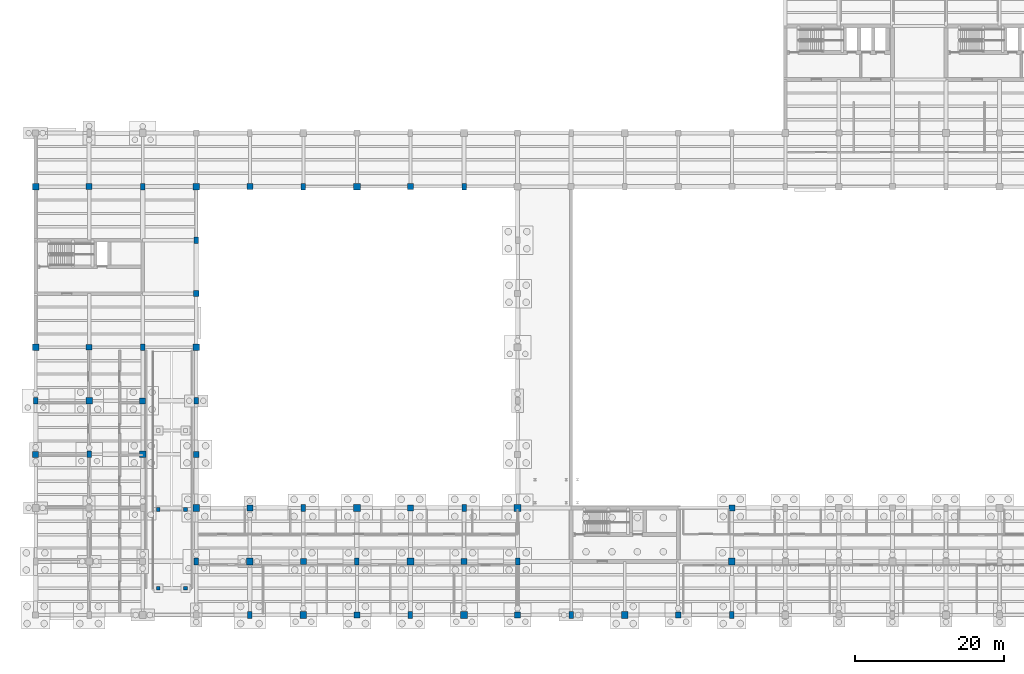
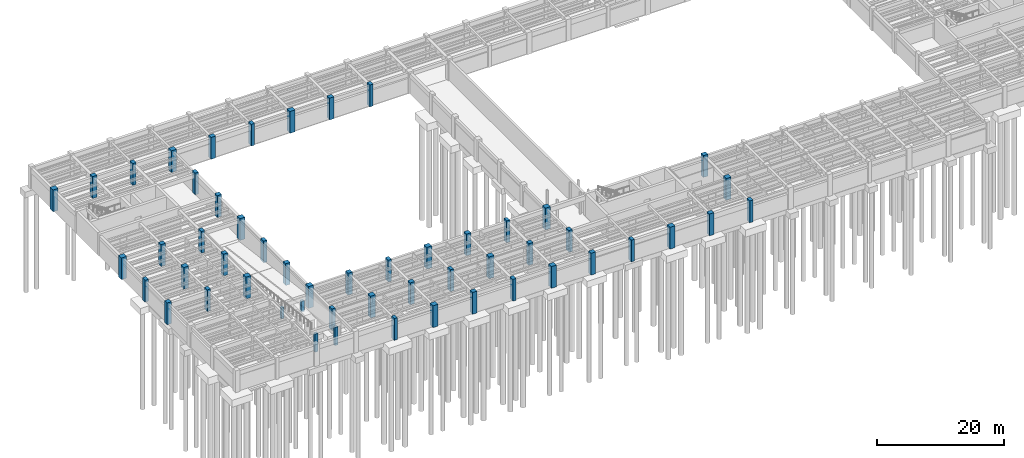
# One storey, part 5 of 33: 53 columns.
"""IFC4 building model written with IfcOpenShell, lengths in metres."""

from ifc_helpers import new_model, si_unit, direction, frame, origin, origin_2d, place, context, subcontext, project, spatial, rectangle, extrude, material, material_profile, profile_set, type_object, element, save


model = new_model("IFC4")

# Units and contexts
model_context = context("Model", 3, precision=1e-05, world=origin(), true_north=direction((0.0, 1.0)))
body_context = subcontext(model_context, "Body", "Model", "MODEL_VIEW")
ifc_project = project(units=[si_unit("LENGTHUNIT", "METRE"), si_unit("AREAUNIT", "SQUARE_METRE"), si_unit("VOLUMEUNIT", "CUBIC_METRE"), si_unit("PLANEANGLEUNIT", "RADIAN"), si_unit("MASSUNIT", "GRAM", prefix="KILO")], contexts=[model_context])

# Site, building, storey
site_placement = place(None, origin())
site = spatial("IfcSite", under=ifc_project, at=site_placement, CompositionType="ELEMENT")
building_placement = place(site_placement, origin())
building = spatial("IfcBuilding", under=site, at=building_placement, Name="Mithqara Police Headquarters", CompositionType="ELEMENT")
storey_placement = place(building_placement, frame((0.0, 0.0, -4.199951171875)))
storey = spatial("IfcBuildingStorey", under=building, at=storey_placement, Name="B1", CompositionType="ELEMENT", Elevation=-4.199951171875)

# Columns
ifc_material = material(Name="Concrete C50/60", Category="concrete")
ifc_material_profile_1 = material_profile(ifc_material, rectangle(XDim=0.5, YDim=0.5, at=origin_2d()), Name="RC 500x500")
ifc_profile_set_1 = profile_set([ifc_material_profile_1], Name="Concrete C50/60")
column_type_1 = type_object("IfcColumnType", Name="COLUMN RC500", PredefinedType="COLUMN", material=ifc_profile_set_1)
for number, where, z_axis, x_axis, name in (
    (1, (24.300048828125, 35.199951171875, -0.300048828125), (0.0, 0.0, 1.0), (1.0, 0.0, 0.0), "VR-01 Ramp Pier 2W"),
    (2, (27.949951171875, 35.199951171875, -0.300048828125), (0.0, 0.0, 1.0), (1.0, 0.0, 0.0), "VR-01 Ramp Pier 2E"),
):
    element("IfcColumn", number, at=place(storey_placement, frame(where, z_axis=z_axis, x_axis=x_axis)), inside=storey, type_object=column_type_1, Name=name, PredefinedType="COLUMN", context=body_context, shape_type="SweptSolid", body=[
        extrude(rectangle(XDim=0.5, YDim=0.5, at=origin_2d()), origin(), (0.0, 0.0, 1.0), 2.10107421875),
    ])
for number, where, z_axis, x_axis, name in (
    (3, (24.300048828125, 24.60009765625, -0.300048828125), (0.0, 0.0, 1.0), (1.0, 0.0, 0.0), "VR-01 Ramp Pier 3W"),
    (4, (27.949951171875, 24.60009765625, -0.300048828125), (0.0, 0.0, 1.0), (1.0, 0.0, 0.0), "VR-01 Ramp Pier 3E"),
):
    element("IfcColumn", number, at=place(storey_placement, frame(where, z_axis=z_axis, x_axis=x_axis)), inside=storey, type_object=column_type_1, Name=name, PredefinedType="COLUMN", context=body_context, shape_type="SweptSolid", body=[
        extrude(rectangle(XDim=0.5, YDim=0.5, at=origin_2d()), origin(), (0.0, 0.0, 1.0), 3.5009765625),
    ])
ifc_material_profile_2 = material_profile(ifc_material, rectangle(XDim=0.60009765625, YDim=0.89990234375, at=origin_2d()), Name="RC 600x900")
ifc_profile_set_2 = profile_set([ifc_material_profile_2], Name="Concrete C50/60")
column_type_2 = type_object("IfcColumnType", Name="COLUMN RC600X900", PredefinedType="COLUMN", material=ifc_profile_set_2)
for number, where, z_axis, x_axis, name in (
    (5, (7.800048828125, 49.800048828125, 0.0), (0.0, 0.0, 1.0), (1.0, 0.0, 0.0), "B1 Column 2/H"),
    (6, (15.0, 42.60009765625, 0.0), (0.0, 0.0, 1.0), (1.0, 0.0, 0.0), "B1 Column 3/G"),
    (7, (22.199951171875, 57.0, 0.0), (0.0, 0.0, 1.0), (1.0, 0.0, 0.0), "B1 Column 4/J"),
    (8, (22.199951171875, 78.60009765625, 0.0), (0.0, 0.0, 1.0), (1.0, 0.0, 0.0), "B1 Column 4/M"),
    (9, (29.39990234375, 28.199951171875, 0.0), (0.0, 0.0, 1.0), (1.0, 0.0, 0.0), "B1 Column 5/E"),
    (10, (29.39990234375, 49.800048828125, 0.0), (0.0, 0.0, 1.0), (1.0, 0.0, 0.0), "B1 Column 5/H"),
    (11, (29.39990234375, 71.39990234375, 0.0), (0.0, 0.0, 1.0), (1.0, 0.0, 0.0), "B1 Column 5/L"),
    (12, (36.60009765625, 21.0, 0.0), (0.0, 0.0, 1.0), (1.0, 0.0, 0.0), "B1 Column 6/D"),
    (13, (43.800048828125, 35.39990234375, 0.0), (0.0, 0.0, 1.0), (1.0, 0.0, 0.0), "B1 Column 7/F"),
    (14, (43.800048828125, 78.60009765625, 0.0), (0.0, 0.0, 1.0), (1.0, 0.0, 0.0), "B1 Column 7/M"),
    (15, (51.0, 28.199951171875, 0.0), (0.0, 0.0, 1.0), (1.0, 0.0, 0.0), "B1 Column 8/E"),
    (16, (58.199951171875, 21.0, 0.0), (0.0, 0.0, 1.0), (1.0, 0.0, 0.0), "B1 Column 9/D"),
    (17, (65.39990234375, 35.39990234375, 0.0), (0.0, 0.0, 1.0), (1.0, 0.0, 0.0), "B1 Column 10/F"),
    (18, (65.39990234375, 78.60009765625, 0.0), (0.0, 0.0, 1.0), (1.0, 0.0, 0.0), "B1 Column 10/M"),
    (19, (72.60009765625, 28.199951171875, 0.0), (0.0, 0.0, 1.0), (1.0, 0.0, 0.0), "B1 Column 11/E"),
    (20, (79.800048828125, 21.0, 0.0), (0.0, 0.0, 1.0), (1.0, 0.0, 0.0), "B1 Column 12/D"),
    (21, (101.39990234375, 21.0, 0.0), (0.0, 0.0, 1.0), (1.0, 0.0, 0.0), "B1 Column 15/D"),
):
    element("IfcColumn", number, at=place(storey_placement, frame(where, z_axis=z_axis, x_axis=x_axis)), inside=storey, type_object=column_type_2, Name=name, PredefinedType="COLUMN", context=body_context, shape_type="SweptSolid", body=[
        extrude(rectangle(XDim=0.60009765625, YDim=0.89990234375, at=origin_2d()), origin(), (0.0, 0.0, 1.0), 4.199951171875),
    ])
ifc_material_profile_3 = material_profile(ifc_material, rectangle(XDim=0.800048828125, YDim=0.800048828125, at=origin_2d()), Name="RC 800x800")
ifc_profile_set_3 = profile_set([ifc_material_profile_3], Name="Concrete C50/60")
column_type_3 = type_object("IfcColumnType", Name="COLUMN RC800", PredefinedType="COLUMN", material=ifc_profile_set_3)
for number, where, z_axis, x_axis, name in (
    (22, (7.800048828125, 42.60009765625, 0.0), (0.0, 0.0, 1.0), (1.0, 0.0, 0.0), "B1 Column 2/G"),
    (23, (15.0, 57.0, 0.0), (0.0, 0.0, 1.0), (1.0, 0.0, 0.0), "B1 Column 3/J"),
    (24, (15.0, 78.60009765625, 0.0), (0.0, 0.0, 1.0), (1.0, 0.0, 0.0), "B1 Column 3/M"),
    (25, (22.199951171875, 49.800048828125, 0.0), (0.0, 0.0, 1.0), (1.0, 0.0, 0.0), "B1 Column 4/H"),
    (26, (29.39990234375, 42.60009765625, 0.0), (0.0, 0.0, 1.0), (1.0, 0.0, 0.0), "B1 Column 5/G"),
    (27, (29.39990234375, 64.199951171875, 0.0), (0.0, 0.0, 1.0), (1.0, 0.0, 0.0), "B1 Column 5/K"),
    (28, (36.60009765625, 35.39990234375, 0.0), (0.0, 0.0, 1.0), (1.0, 0.0, 0.0), "B1 Column 6/F"),
    (29, (36.60009765625, 78.60009765625, 0.0), (0.0, 0.0, 1.0), (1.0, 0.0, 0.0), "B1 Column 6/M"),
    (30, (43.800048828125, 28.199951171875, 0.0), (0.0, 0.0, 1.0), (1.0, 0.0, 0.0), "B1 Column 7/E"),
    (31, (51.0, 21.0, 0.0), (0.0, 0.0, 1.0), (1.0, 0.0, 0.0), "B1 Column 8/D"),
    (32, (58.199951171875, 35.39990234375, 0.0), (0.0, 0.0, 1.0), (1.0, 0.0, 0.0), "B1 Column 9/F"),
    (33, (58.199951171875, 78.60009765625, 0.0), (0.0, 0.0, 1.0), (1.0, 0.0, 0.0), "B1 Column 9/M"),
    (34, (65.39990234375, 28.199951171875, 0.0), (0.0, 0.0, 1.0), (1.0, 0.0, 0.0), "B1 Column 10/E"),
    (35, (72.60009765625, 21.0, 0.0), (0.0, 0.0, 1.0), (1.0, 0.0, 0.0), "B1 Column 11/D"),
    (36, (94.199951171875, 21.0, 0.0), (0.0, 0.0, 1.0), (1.0, 0.0, 0.0), "B1 Column 14/D"),
    (37, (101.39990234375, 35.39990234375, 0.0), (0.0, 0.0, 1.0), (1.0, 0.0, 0.0), "B1 Column 15/F"),
):
    element("IfcColumn", number, at=place(storey_placement, frame(where, z_axis=z_axis, x_axis=x_axis)), inside=storey, type_object=column_type_3, Name=name, PredefinedType="COLUMN", context=body_context, shape_type="SweptSolid", body=[
        extrude(rectangle(XDim=0.800048828125, YDim=0.800048828125, at=origin_2d()), origin(), (0.0, 0.0, 1.0), 4.199951171875),
    ])
ifc_material_profile_4 = material_profile(ifc_material, rectangle(XDim=0.89990234375, YDim=0.89990234375, at=origin_2d()), Name="RC 900x900")
ifc_profile_set_4 = profile_set([ifc_material_profile_4], Name="Concrete C50/60")
column_type_4 = type_object("IfcColumnType", Name="COLUMN RC900", PredefinedType="COLUMN", material=ifc_profile_set_4)
for number, where, z_axis, x_axis, name in (
    (38, (7.800048828125, 57.0, 0.0), (0.0, 0.0, 1.0), (1.0, 0.0, 0.0), "B1 Column 2/J"),
    (39, (7.800048828125, 78.60009765625, 0.0), (0.0, 0.0, 1.0), (1.0, 0.0, 0.0), "B1 Column 2/M"),
    (40, (15.0, 49.800048828125, 0.0), (0.0, 0.0, 1.0), (1.0, 0.0, 0.0), "B1 Column 3/H"),
    (41, (22.199951171875, 42.60009765625, 0.0), (0.0, 0.0, 1.0), (1.0, 0.0, 0.0), "B1 Column 4/G"),
    (42, (29.39990234375, 35.39990234375, 0.0), (0.0, 0.0, 1.0), (1.0, 0.0, 0.0), "B1 Column 5/F"),
    (43, (29.39990234375, 57.0, 0.0), (0.0, 0.0, 1.0), (1.0, 0.0, 0.0), "B1 Column 5/J"),
    (44, (29.39990234375, 78.60009765625, 0.0), (0.0, 0.0, 1.0), (1.0, 0.0, 0.0), "B1 Column 5/M"),
    (45, (36.60009765625, 28.199951171875, 0.0), (0.0, 0.0, 1.0), (1.0, 0.0, 0.0), "B1 Column 6/E"),
    (46, (43.800048828125, 21.0, 0.0), (0.0, 0.0, 1.0), (1.0, 0.0, 0.0), "B1 Column 7/D"),
    (47, (51.0, 35.39990234375, 0.0), (0.0, 0.0, 1.0), (1.0, 0.0, 0.0), "B1 Column 8/F"),
    (48, (51.0, 78.60009765625, 0.0), (0.0, 0.0, 1.0), (1.0, 0.0, 0.0), "B1 Column 8/M"),
    (49, (58.199951171875, 28.199951171875, 0.0), (0.0, 0.0, 1.0), (1.0, 0.0, 0.0), "B1 Column 9/E"),
    (50, (65.39990234375, 21.0, 0.0), (0.0, 0.0, 1.0), (1.0, 0.0, 0.0), "B1 Column 10/D"),
    (51, (72.60009765625, 35.39990234375, 0.0), (0.0, 0.0, 1.0), (1.0, 0.0, 0.0), "B1 Column 11/F"),
    (52, (87.0, 21.0, 0.0), (0.0, 0.0, 1.0), (1.0, 0.0, 0.0), "B1 Column 13/D"),
    (53, (101.39990234375, 28.199951171875, 0.0), (0.0, 0.0, 1.0), (1.0, 0.0, 0.0), "B1 Column 15/E"),
):
    element("IfcColumn", number, at=place(storey_placement, frame(where, z_axis=z_axis, x_axis=x_axis)), inside=storey, type_object=column_type_4, Name=name, PredefinedType="COLUMN", context=body_context, shape_type="SweptSolid", body=[
        extrude(rectangle(XDim=0.89990234375, YDim=0.89990234375, at=origin_2d()), origin(), (0.0, 0.0, 1.0), 4.199951171875),
    ])

save(model, "model.ifc")
